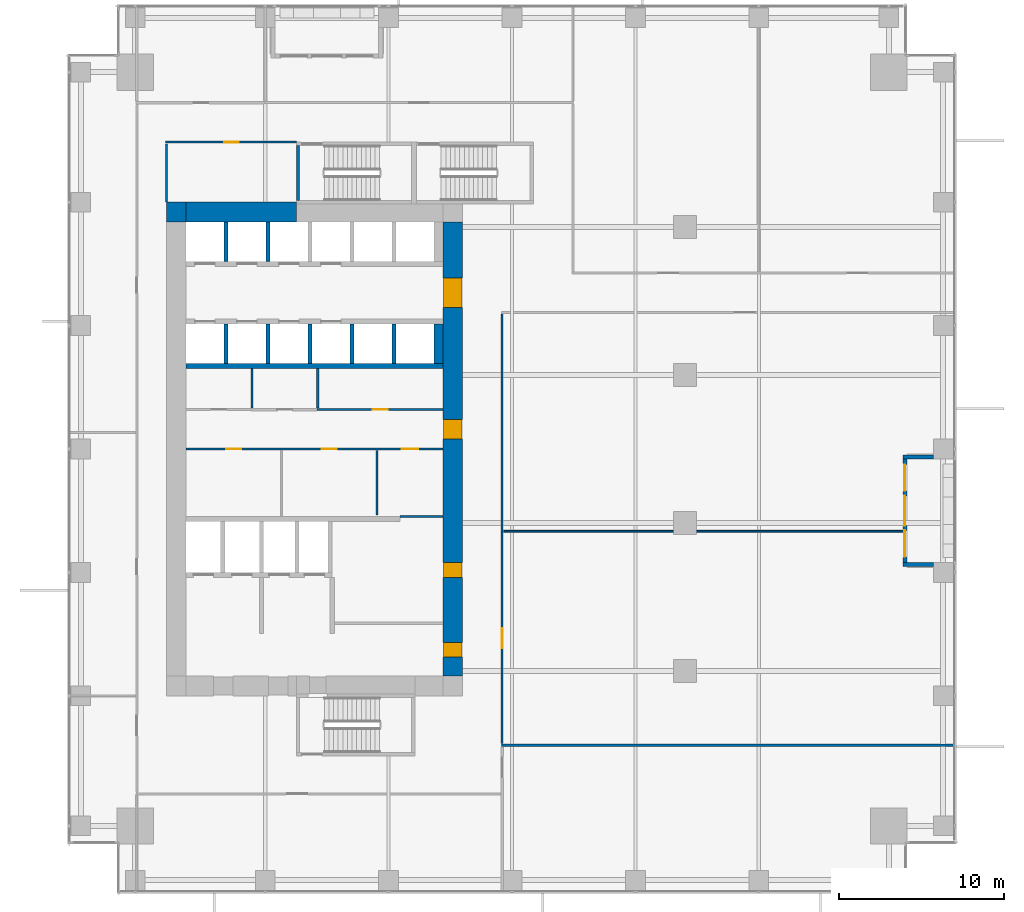
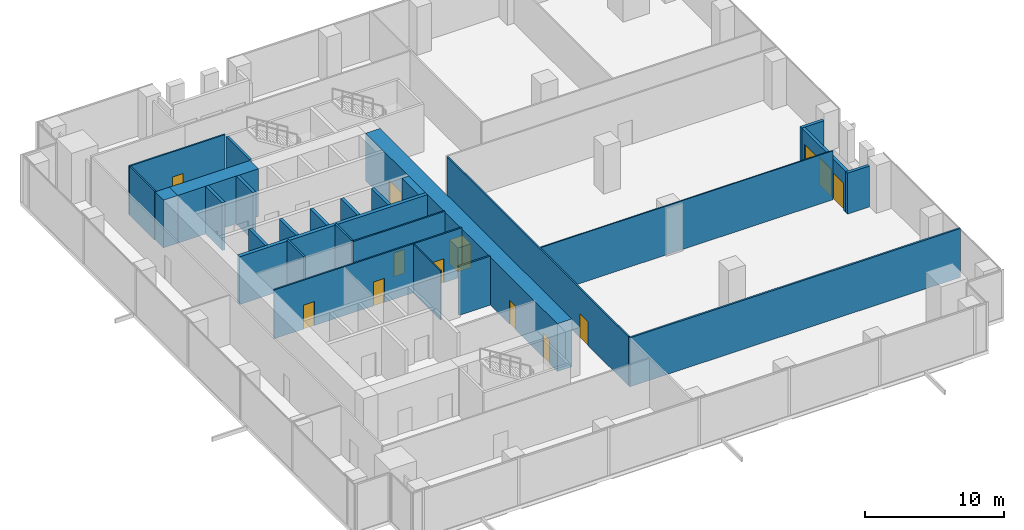
# One storey, part 28 of 33: 27 walls, 11 doors, 2 windows, 13 openings.
"""IFC4 building model written with IfcOpenShell, lengths in metres."""

from ifc_helpers import new_model, si_unit, direction, frame, frame_2d, origin, place, context, subcontext, project, spatial, rectangle, extrude, source, transform, mapped, material, layer, layer_set, type_object, element, fill, save


model = new_model("IFC4")

# Units and contexts
model_context = context("Model", 3, precision=1e-05, world=origin(), true_north=direction((0.0, 1.0)))
body_context = subcontext(model_context, "Body", "Model", "MODEL_VIEW")
ifc_project = project(units=[si_unit("LENGTHUNIT", "METRE"), si_unit("AREAUNIT", "SQUARE_METRE"), si_unit("VOLUMEUNIT", "CUBIC_METRE"), si_unit("PLANEANGLEUNIT", "RADIAN"), si_unit("MASSUNIT", "GRAM", prefix="KILO")], contexts=[model_context])

# Site, building, storey
site_placement = place(None, origin())
site = spatial("IfcSite", under=ifc_project, at=site_placement, CompositionType="ELEMENT")
building_placement = place(site_placement, origin())
building = spatial("IfcBuilding", under=site, at=building_placement, Name="Khomas Fold Tower", CompositionType="ELEMENT")
storey_placement = place(building_placement, frame((0.0, 0.0, 78.0)))
storey = spatial("IfcBuildingStorey", under=building, at=storey_placement, Name="L16", CompositionType="ELEMENT", Elevation=78.0)

# Walls
ifc_material_1 = material(Name="Concrete C70/85", Category="concrete")
ifc_layer_1 = layer(ifc_material_1, 1.199951171875)
ifc_layer_set_1 = layer_set([ifc_layer_1], Name="Concrete C70/85")
wall_type_1 = type_object("IfcWallType", Name="Core wall 1200", PredefinedType="SHEAR", material=ifc_layer_set_1)
shared_shape_1 = source(origin(), body_context, "Body", "SweptSolid", [
    extrude(rectangle(XDim=6.699951171875, YDim=1.199951171875, at=frame_2d((3.35009765625, 0.0))), origin(), (0.0, 0.0, 1.0), 4.199951171875),
])
wall_1_placement = place(storey_placement, frame((7.199951171875, 41.39990234375, 0.0), z_axis=(0.0, 0.0, 1.0), x_axis=(1.0, 0.0, 0.0)))
element("IfcWall", 1, at=wall_1_placement, inside=storey, type_object=wall_type_1, Name="Core wall CW-L-N-B2", PredefinedType="SHEAR", context=body_context, shape_type="MappedRepresentation", body=[
    mapped(shared_shape_1, transform((0.0, 0.0, 0.0))),
])
ifc_material_2 = material(Name="Concrete C70/85", Category="concrete")
ifc_layer_2 = layer(ifc_material_2, 1.199951171875)
ifc_layer_set_2 = layer_set([ifc_layer_2], Name="Concrete C70/85")
wall_type_2 = type_object("IfcWallType", Name="Core corner wall 1200", PredefinedType="SHEAR", material=ifc_layer_set_2)
shared_shape_2 = source(origin(), body_context, "Body", "SweptSolid", [
    extrude(rectangle(XDim=1.199951171875, YDim=1.199951171875, at=frame_2d((0.60009765625, 0.0))), origin(), (0.0, 0.0, 1.0), 4.199951171875),
])
wall_2_placement = place(storey_placement, frame((6.0, 41.39990234375, 0.0), z_axis=(0.0, 0.0, 1.0), x_axis=(1.0, 0.0, 0.0)))
element("IfcWall", 2, at=wall_2_placement, inside=storey, type_object=wall_type_2, Name="Core wall CW-L-NW-B2", PredefinedType="SHEAR", context=body_context, shape_type="MappedRepresentation", body=[
    mapped(shared_shape_2, transform((0.0, 0.0, 0.0))),
])

# Wall, openings, doors
shared_shape_3 = source(origin(), body_context, "Body", "SweptSolid", [
    extrude(rectangle(XDim=27.60009765625, YDim=1.199951171875, at=frame_2d((13.800048828125, 0.0))), origin(), (0.0, 0.0, 1.0), 4.199951171875),
])
wall_3_placement = place(storey_placement, frame((23.39990234375, 13.199951171875, 0.0), z_axis=(0.0, 0.0, 1.0), x_axis=(0.0, 1.0, 0.0)))
wall_3 = element("IfcWall", 3, at=wall_3_placement, inside=storey, type_object=wall_type_1, Name="Core wall CW-L-E-B2", PredefinedType="SHEAR", context=body_context, shape_type="MappedRepresentation", body=[
    mapped(shared_shape_3, transform((0.0, 0.0, 0.0))),
])
shared_shape_4 = source(origin(), body_context, "Body", "SweptSolid", [
    extrude(rectangle(XDim=1.800048828125, YDim=2.10009765625, at=frame_2d((0.89990234375, 1.050048828125))), frame((0.0, 0.60986328125, 0.0), z_axis=(0.0, -1.0, 0.0), x_axis=(1.0, 0.0, 0.0)), (0.0, 0.0, 1.0), 1.219970703125),
])
opening_1_placement = place(wall_3_placement, frame((22.39990234375, 0.0, 0.0)))
opening_1 = element("IfcOpeningElement", 4, at=opening_1_placement, cuts=wall_3, Name="Opening 0015", PredefinedType="OPENING", context=body_context, shape_type="MappedRepresentation", body=[
    mapped(shared_shape_4, transform((0.0, 0.0, 0.0))),
])
shared_shape_5 = source(origin(), body_context, "Body", "SweptSolid", [
    extrude(rectangle(XDim=1.199951171875, YDim=2.10009765625, at=frame_2d((0.60009765625, 1.050048828125))), frame((0.0, 0.60986328125, 0.0), z_axis=(0.0, -1.0, 0.0), x_axis=(1.0, 0.0, 0.0)), (0.0, 0.0, 1.0), 1.219970703125),
])
opening_2_placement = place(wall_3_placement, frame((14.39990234375, 0.0, 0.0)))
opening_2 = element("IfcOpeningElement", 5, at=opening_2_placement, cuts=wall_3, Name="Opening 0001", PredefinedType="OPENING", context=body_context, shape_type="MappedRepresentation", body=[
    mapped(shared_shape_5, transform((0.0, 0.0, 0.0))),
])
shared_shape_6 = source(origin(), body_context, "Body", "SweptSolid", [
    extrude(rectangle(XDim=0.89990234375, YDim=2.10009765625, at=frame_2d((0.449951171875, 1.050048828125))), frame((0.0, 0.60986328125, 0.0), z_axis=(0.0, -1.0, 0.0), x_axis=(1.0, 0.0, 0.0)), (0.0, 0.0, 1.0), 1.219970703125),
])
opening_3_placement = place(wall_3_placement, frame((1.14990234375, 0.0, 0.0)))
opening_3 = element("IfcOpeningElement", 6, at=opening_3_placement, cuts=wall_3, Name="Opening 0008", PredefinedType="OPENING", context=body_context, shape_type="MappedRepresentation", body=[
    mapped(shared_shape_6, transform((0.0, 0.0, 0.0))),
])
opening_4_placement = place(wall_3_placement, frame((6.0, 0.0, 0.0)))
opening_4 = element("IfcOpeningElement", 7, at=opening_4_placement, cuts=wall_3, Name="Opening 0003", PredefinedType="OPENING", context=body_context, shape_type="MappedRepresentation", body=[
    mapped(shared_shape_6, transform((0.0, 0.0, 0.0))),
])
ifc_material_3 = material(Name="Timber door leaf", Category="wood")
door_type_1 = type_object("IfcDoorType", Name="Door 1200x2100 right-hand", OperationType="SINGLE_SWING_RIGHT", PredefinedType="DOOR", material=ifc_material_3)
shared_shape_7 = source(origin(), body_context, "Body", "SweptSolid", [
    extrude(rectangle(XDim=1.199951171875, YDim=2.10009765625, at=frame_2d((0.60009765625, 1.050048828125))), frame((0.0, 0.5498046875, 0.0), z_axis=(0.0, -1.0, 0.0), x_axis=(1.0, 0.0, 0.0)), (0.0, 0.0, 1.0), 1.099853515625),
])
door_1_placement = place(opening_2_placement, origin())
door_1 = element("IfcDoor", 8, at=door_1_placement, inside=storey, type_object=door_type_1, Name="Door", OperationType="SINGLE_SWING_RIGHT", OverallHeight=2.10009765625, OverallWidth=1.199951171875, PredefinedType="DOOR", context=body_context, shape_type="MappedRepresentation", body=[
    mapped(shared_shape_7, transform((0.0, 0.0, 0.0))),
])
fill(opening_2, door_1)
ifc_material_4 = material(Name="Timber door leaf", Category="wood")
door_type_2 = type_object("IfcDoorType", Name="Door 900x2100 right-hand", OperationType="SINGLE_SWING_RIGHT", PredefinedType="DOOR", material=ifc_material_4)
shared_shape_8 = source(origin(), body_context, "Body", "SweptSolid", [
    extrude(rectangle(XDim=0.89990234375, YDim=2.10009765625, at=frame_2d((0.449951171875, 1.050048828125))), frame((0.0, 0.5498046875, 0.0), z_axis=(0.0, -1.0, 0.0), x_axis=(1.0, 0.0, 0.0)), (0.0, 0.0, 1.0), 1.099853515625),
])
door_2_placement = place(opening_3_placement, origin())
door_2 = element("IfcDoor", 9, at=door_2_placement, inside=storey, type_object=door_type_2, Name="Door", OperationType="SINGLE_SWING_RIGHT", OverallHeight=2.10009765625, OverallWidth=0.89990234375, PredefinedType="DOOR", context=body_context, shape_type="MappedRepresentation", body=[
    mapped(shared_shape_8, transform((0.0, 0.0, 0.0))),
])
fill(opening_3, door_2)
ifc_material_5 = material(Name="Steel door leaf", Category="steel")
door_type_3 = type_object("IfcDoorType", Name="Plant room door 900x2100 right-hand", OperationType="SINGLE_SWING_RIGHT", PredefinedType="DOOR", material=ifc_material_5)
door_3_placement = place(opening_4_placement, origin())
door_3 = element("IfcDoor", 10, at=door_3_placement, inside=storey, type_object=door_type_3, Name="Plant room door", OperationType="SINGLE_SWING_RIGHT", OverallHeight=2.10009765625, OverallWidth=0.89990234375, PredefinedType="DOOR", context=body_context, shape_type="MappedRepresentation", body=[
    mapped(shared_shape_8, transform((0.0, 0.0, 0.0))),
])
fill(opening_4, door_3)
ifc_material_6 = material(Name="Steel door leaf", Category="steel")
door_type_4 = type_object("IfcDoorType", Name="Lobby door 1800x2100", OperationType="DOUBLE_DOOR_SINGLE_SWING", PredefinedType="DOOR", material=ifc_material_6)
shared_shape_9 = source(origin(), body_context, "Body", "SweptSolid", [
    extrude(rectangle(XDim=1.800048828125, YDim=2.10009765625, at=frame_2d((0.89990234375, 1.050048828125))), frame((0.0, 0.5498046875, 0.0), z_axis=(0.0, -1.0, 0.0), x_axis=(1.0, 0.0, 0.0)), (0.0, 0.0, 1.0), 1.099853515625),
])
door_4_placement = place(opening_1_placement, origin())
door_4 = element("IfcDoor", 11, at=door_4_placement, inside=storey, type_object=door_type_4, Name="Lobby door", OperationType="DOUBLE_DOOR_SINGLE_SWING", OverallHeight=2.10009765625, OverallWidth=1.800048828125, PredefinedType="DOOR", context=body_context, shape_type="MappedRepresentation", body=[
    mapped(shared_shape_9, transform((0.0, 0.0, 0.0))),
])
fill(opening_1, door_4)

# Walls
ifc_material_7 = material(Name="Concrete C50/60", Category="concrete")
ifc_layer_3 = layer(ifc_material_7, 0.199951171875)
ifc_layer_set_3 = layer_set([ifc_layer_3], Name="Concrete C50/60")
wall_type_3 = type_object("IfcWallType", Name="Stair wall 200", PredefinedType="SHEAR", material=ifc_layer_set_3)
shared_shape_10 = source(origin(), body_context, "Body", "SweptSolid", [
    extrude(rectangle(XDim=3.349853515625, YDim=0.199951171875, at=frame_2d((1.6748046875, 0.0))), origin(), (0.0, 0.0, 1.0), 4.199951171875),
])
wall_4_placement = place(storey_placement, frame((14.0, 42.10009765625, 0.0), z_axis=(0.0, 0.0, 1.0), x_axis=(0.0, 1.0, 0.0)))
element("IfcWall", 12, at=wall_4_placement, inside=storey, type_object=wall_type_3, Name="Stair wall SW-ST1-W", PredefinedType="SHEAR", context=body_context, shape_type="MappedRepresentation", body=[
    mapped(shared_shape_10, transform((0.0, 0.0, 0.0))),
])
ifc_material_8 = material(Name="Concrete C50/60", Category="concrete")
ifc_layer_4 = layer(ifc_material_8, 0.300048828125)
ifc_layer_set_4 = layer_set([ifc_layer_4], Name="Concrete C50/60")
wall_type_4 = type_object("IfcWallType", Name="Shaft wall 300", PredefinedType="STANDARD", material=ifc_layer_set_4)
shared_shape_11 = source(origin(), body_context, "Body", "SweptSolid", [
    extrude(rectangle(XDim=15.60009765625, YDim=0.300048828125, at=frame_2d((7.800048828125, 0.0))), origin(), (0.0, 0.0, 1.0), 4.199951171875),
])
wall_5_placement = place(storey_placement, frame((7.199951171875, 32.050048828125, 0.0), z_axis=(0.0, 0.0, 1.0), x_axis=(1.0, 0.0, 0.0)))
element("IfcWall", 13, at=wall_5_placement, inside=storey, type_object=wall_type_4, Name="Core wall SW-HRN-B", PredefinedType="STANDARD", context=body_context, shape_type="MappedRepresentation", body=[
    mapped(shared_shape_11, transform((0.0, 0.0, 0.0))),
])
ifc_material_9 = material(Name="Concrete C50/60", Category="concrete")
ifc_layer_5 = layer(ifc_material_9, 0.25)
ifc_layer_set_5 = layer_set([ifc_layer_5], Name="Concrete C50/60")
wall_type_5 = type_object("IfcWallType", Name="Shaft wall 250", PredefinedType="STANDARD", material=ifc_layer_set_5)
shared_shape_12 = source(origin(), body_context, "Body", "SweptSolid", [
    extrude(rectangle(XDim=2.400146484375, YDim=0.25, at=frame_2d((1.2001953125, 0.0))), origin(), (0.0, 0.0, 1.0), 4.199951171875),
])
for number, where, z_axis, x_axis, name in (
    (14, (9.625, 38.39990234375, 0.0), (0.0, 0.0, 1.0), (0.0, 1.0, 0.0), "Core wall SW-LRN-P1"),
    (15, (12.175048828125, 38.39990234375, 0.0), (0.0, 0.0, 1.0), (0.0, 1.0, 0.0), "Core wall SW-LRN-P2"),
    (16, (9.625, 32.199951171875, 0.0), (0.0, 0.0, 1.0), (0.0, 1.0, 0.0), "Core wall SW-LRS-P1"),
    (17, (12.175048828125, 32.199951171875, 0.0), (0.0, 0.0, 1.0), (0.0, 1.0, 0.0), "Core wall SW-LRS-P2"),
    (18, (14.72509765625, 32.199951171875, 0.0), (0.0, 0.0, 1.0), (0.0, 1.0, 0.0), "Core wall SW-LRS-P3"),
    (19, (17.27490234375, 32.199951171875, 0.0), (0.0, 0.0, 1.0), (0.0, 1.0, 0.0), "Core wall SW-LRS-P4"),
    (20, (19.824951171875, 32.199951171875, 0.0), (0.0, 0.0, 1.0), (0.0, 1.0, 0.0), "Core wall SW-LRS-P5"),
):
    element("IfcWall", number, at=place(storey_placement, frame(where, z_axis=z_axis, x_axis=x_axis)), inside=storey, type_object=wall_type_5, Name=name, PredefinedType="STANDARD", context=body_context, shape_type="MappedRepresentation", body=[
        mapped(shared_shape_12, transform((0.0, 0.0, 0.0))),
    ])
ifc_material_10 = material(Name="Concrete C50/60", Category="concrete")
ifc_layer_6 = layer(ifc_material_10, 0.550048828125)
ifc_layer_set_6 = layer_set([ifc_layer_6], Name="Concrete C50/60")
wall_type_6 = type_object("IfcWallType", Name="Shaft wall 550", PredefinedType="STANDARD", material=ifc_layer_set_6)
shared_shape_13 = source(origin(), body_context, "Body", "SweptSolid", [
    extrude(rectangle(XDim=2.400146484375, YDim=0.550048828125, at=frame_2d((1.2001953125, 0.0))), origin(), (0.0, 0.0, 1.0), 4.199951171875),
])
wall_6_placement = place(storey_placement, frame((22.52490234375, 32.199951171875, 0.0), z_axis=(0.0, 0.0, 1.0), x_axis=(0.0, 1.0, 0.0)))
element("IfcWall", 21, at=wall_6_placement, inside=storey, type_object=wall_type_6, Name="Core wall SW-LRS-PE", PredefinedType="STANDARD", context=body_context, shape_type="MappedRepresentation", body=[
    mapped(shared_shape_13, transform((0.0, 0.0, 0.0))),
])

# Wall, openings, windows, door
ifc_material_11 = material(Name="Natural stone", Category="masonry")
ifc_layer_7 = layer(ifc_material_11, 0.0400390625)
ifc_material_12 = material(Name="Mineral wool insulation", Category="insulation")
ifc_layer_8 = layer(ifc_material_12, 0.10009765625)
ifc_material_13 = material(Name="Masonry", Category="masonry")
ifc_layer_9 = layer(ifc_material_13, 0.110107421875)
ifc_layer_set_7 = layer_set([ifc_layer_7, ifc_layer_8, ifc_layer_9], Name="Stone-faced insulated masonry")
wall_type_7 = type_object("IfcWallType", Name="BL-Balcony wall", PredefinedType="SOLIDWALL", material=ifc_layer_set_7)
shared_shape_14 = source(origin(), body_context, "Body", "SweptSolid", [
    extrude(rectangle(XDim=6.2998046875, YDim=0.25, at=frame_2d((3.14990234375, 0.0))), origin(), (0.0, 0.0, 1.0), 3.60009765625),
])
wall_7_placement = place(storey_placement, frame((50.875, 20.10009765625, 0.0), z_axis=(0.0, 0.0, 1.0), x_axis=(0.0, 1.0, 0.0)))
wall_7 = element("IfcWall", 22, at=wall_7_placement, inside=storey, type_object=wall_type_7, Name="Balcony wall BAL-L16-E2", PredefinedType="SOLIDWALL", context=body_context, shape_type="MappedRepresentation", body=[
    mapped(shared_shape_14, transform((0.0, 0.0, 0.0))),
])
shared_shape_15 = source(origin(), body_context, "Body", "SweptSolid", [
    extrude(rectangle(XDim=1.60009765625, YDim=2.39990234375, at=frame_2d((0.800048828125, 1.199951171875))), frame((0.0, 0.135009765625, 0.0), z_axis=(0.0, -1.0, 0.0), x_axis=(1.0, 0.0, 0.0)), (0.0, 0.0, 1.0), 0.27001953125),
])
opening_5_placement = place(wall_7_placement, frame((0.35009765625, 0.0, 0.0)))
opening_5 = element("IfcOpeningElement", 23, at=opening_5_placement, cuts=wall_7, Name="Opening BL-W1", PredefinedType="OPENING", context=body_context, shape_type="MappedRepresentation", body=[
    mapped(shared_shape_15, transform((0.0, 0.0, 0.0))),
])
opening_6_placement = place(wall_7_placement, frame((4.35009765625, 0.0, 0.0)))
opening_6 = element("IfcOpeningElement", 24, at=opening_6_placement, cuts=wall_7, Name="Opening BL-W1", PredefinedType="OPENING", context=body_context, shape_type="MappedRepresentation", body=[
    mapped(shared_shape_15, transform((0.0, 0.0, 0.0))),
])
shared_shape_16 = source(origin(), body_context, "Body", "SweptSolid", [
    extrude(rectangle(XDim=1.800048828125, YDim=2.39990234375, at=frame_2d((0.89990234375, 1.199951171875))), frame((0.0, 0.135009765625, 0.0), z_axis=(0.0, -1.0, 0.0), x_axis=(1.0, 0.0, 0.0)), (0.0, 0.0, 1.0), 0.27001953125),
])
opening_7_placement = place(wall_7_placement, frame((2.25, 0.0, 0.0)))
opening_7 = element("IfcOpeningElement", 25, at=opening_7_placement, cuts=wall_7, Name="Opening BD161", PredefinedType="OPENING", context=body_context, shape_type="MappedRepresentation", body=[
    mapped(shared_shape_16, transform((0.0, 0.0, 0.0))),
])
ifc_material_14 = material(Name="Aluminium framed double glazing", Category="aluminium")
window_type = type_object("IfcWindowType", Name="BL-Fixed glazing 1600 x 2400", PartitioningType="SINGLE_PANEL", PredefinedType="WINDOW", material=ifc_material_14)
shared_shape_17 = source(origin(), body_context, "Body", "SweptSolid", [
    extrude(rectangle(XDim=1.60009765625, YDim=2.39990234375, at=frame_2d((0.800048828125, 1.199951171875))), frame((0.0, 0.030029296875, 0.0), z_axis=(0.0, -1.0, 0.0), x_axis=(1.0, 0.0, 0.0)), (0.0, 0.0, 1.0), 0.06005859375),
])
window_1_placement = place(opening_5_placement, origin())
window_1 = element("IfcWindow", 26, at=window_1_placement, inside=storey, type_object=window_type, Name="Balcony glazing BAL-L16-E2-1", OverallHeight=2.39990234375, OverallWidth=1.60009765625, PartitioningType="SINGLE_PANEL", PredefinedType="WINDOW", context=body_context, shape_type="MappedRepresentation", body=[
    mapped(shared_shape_17, transform((0.0, 0.0, 0.0))),
])
fill(opening_5, window_1)
window_2_placement = place(opening_6_placement, origin())
window_2 = element("IfcWindow", 27, at=window_2_placement, inside=storey, type_object=window_type, Name="Balcony glazing BAL-L16-E2-2", OverallHeight=2.39990234375, OverallWidth=1.60009765625, PartitioningType="SINGLE_PANEL", PredefinedType="WINDOW", context=body_context, shape_type="MappedRepresentation", body=[
    mapped(shared_shape_17, transform((0.0, 0.0, 0.0))),
])
fill(opening_6, window_2)
ifc_material_15 = material(Name="Aluminium framed double glazing", Category="aluminium")
door_type_5 = type_object("IfcDoorType", Name="BL-Glazed balcony door 1800 x 2400", OperationType="DOUBLE_DOOR_DOUBLE_SWING", PredefinedType="DOOR", material=ifc_material_15)
shared_shape_18 = source(origin(), body_context, "Body", "SweptSolid", [
    extrude(rectangle(XDim=1.800048828125, YDim=2.39990234375, at=frame_2d((0.89990234375, 1.199951171875))), frame((0.0, 0.02490234375, 0.0), z_axis=(0.0, -1.0, 0.0), x_axis=(1.0, 0.0, 0.0)), (0.0, 0.0, 1.0), 0.050048828125),
])
door_5_placement = place(opening_7_placement, origin())
door_5 = element("IfcDoor", 28, at=door_5_placement, inside=storey, type_object=door_type_5, Name="Balcony door BD161", OperationType="DOUBLE_DOOR_DOUBLE_SWING", OverallHeight=2.39990234375, OverallWidth=1.800048828125, PredefinedType="DOOR", context=body_context, shape_type="MappedRepresentation", body=[
    mapped(shared_shape_18, transform((0.0, 0.0, 0.0))),
])
fill(opening_7, door_5)

# Walls
shared_shape_19 = source(origin(), body_context, "Body", "SweptSolid", [
    extrude(rectangle(XDim=1.85009765625, YDim=0.25, at=frame_2d((0.925048828125, 0.0))), origin(), (0.0, 0.0, 1.0), 3.60009765625),
])
for number, where, z_axis, x_axis, name in (
    (29, (52.60009765625, 19.97509765625, 0.0), (0.0, 0.0, 1.0), (-1.0, 0.0, 0.0), "Balcony return wall BAL-L16-E2-lo"),
    (30, (52.60009765625, 26.52490234375, 0.0), (0.0, 0.0, 1.0), (-1.0, 0.0, 0.0), "Balcony return wall BAL-L16-E2-hi"),
):
    element("IfcWall", number, at=place(storey_placement, frame(where, z_axis=z_axis, x_axis=x_axis)), inside=storey, type_object=wall_type_7, Name=name, PredefinedType="SOLIDWALL", context=body_context, shape_type="MappedRepresentation", body=[
        mapped(shared_shape_19, transform((0.0, 0.0, 0.0))),
    ])
ifc_material_16 = material(Name="Plasterboard fire partition")
ifc_layer_10 = layer(ifc_material_16, 0.14990234375)
ifc_layer_set_8 = layer_set([ifc_layer_10], Name="Plasterboard fire partition")
wall_type_8 = type_object("IfcWallType", Name="Plant room wall PW3 150", PredefinedType="PARTITIONING", material=ifc_layer_set_8)
shared_shape_20 = source(origin(), body_context, "Body", "SweptSolid", [
    extrude(rectangle(XDim=27.5, YDim=0.14990234375, at=frame_2d((13.75, 0.0))), origin(), (0.0, 0.0, 1.0), 4.300048828125),
])
wall_8_placement = place(storey_placement, frame((26.35009765625, 9.0, 0.0), z_axis=(0.0, 0.0, 1.0), x_axis=(1.0, 0.0, 0.0)))
element("IfcWall", 31, at=wall_8_placement, inside=storey, type_object=wall_type_8, Name="Plant room wall", PredefinedType="PARTITIONING", context=body_context, shape_type="MappedRepresentation", body=[
    mapped(shared_shape_20, transform((0.0, 0.0, 0.0))),
])
shared_shape_21 = source(origin(), body_context, "Body", "SweptSolid", [
    extrude(rectangle(XDim=2.60009765625, YDim=0.14990234375, at=frame_2d((1.300048828125, 0.0))), origin(), (0.0, 0.0, 1.0), 4.300048828125),
])
wall_9_placement = place(storey_placement, frame((20.199951171875, 22.89990234375, 0.0), z_axis=(0.0, 0.0, 1.0), x_axis=(1.0, 0.0, 0.0)))
element("IfcWall", 32, at=wall_9_placement, inside=storey, type_object=wall_type_8, Name="Plant room wall", PredefinedType="PARTITIONING", context=body_context, shape_type="MappedRepresentation", body=[
    mapped(shared_shape_21, transform((0.0, 0.0, 0.0))),
])
ifc_material_17 = material(Name="Plasterboard partition")
ifc_layer_11 = layer(ifc_material_17, 0.10009765625)
ifc_layer_set_9 = layer_set([ifc_layer_11], Name="Plasterboard partition")
wall_type_9 = type_object("IfcWallType", Name="Partition PW1 100", PredefinedType="PARTITIONING", material=ifc_layer_set_9)
shared_shape_22 = source(origin(), body_context, "Body", "SweptSolid", [
    extrude(rectangle(XDim=24.25, YDim=0.10009765625, at=frame_2d((12.125, 0.0))), origin(), (0.0, 0.0, 1.0), 4.300048828125),
])
wall_10_placement = place(storey_placement, frame((26.5, 22.0, 0.0), z_axis=(0.0, 0.0, 1.0), x_axis=(1.0, 0.0, 0.0)))
element("IfcWall", 33, at=wall_10_placement, inside=storey, type_object=wall_type_9, Name="Partition", PredefinedType="PARTITIONING", context=body_context, shape_type="MappedRepresentation", body=[
    mapped(shared_shape_22, transform((0.0, 0.0, 0.0))),
])
ifc_material_18 = material(Name="Plasterboard partition")
ifc_layer_12 = layer(ifc_material_18, 0.125)
ifc_layer_set_10 = layer_set([ifc_layer_12], Name="Plasterboard partition")
wall_type_10 = type_object("IfcWallType", Name="Partition PW2 125", PredefinedType="PARTITIONING", material=ifc_layer_set_10)
shared_shape_23 = source(origin(), body_context, "Body", "SweptSolid", [
    extrude(rectangle(XDim=3.550048828125, YDim=0.125, at=frame_2d((1.77490234375, 0.0))), origin(), (0.0, 0.0, 1.0), 4.300048828125),
])
wall_11_placement = place(storey_placement, frame((6.0, 42.0, 0.0), z_axis=(0.0, 0.0, 1.0), x_axis=(0.0, 1.0, 0.0)))
element("IfcWall", 34, at=wall_11_placement, inside=storey, type_object=wall_type_10, Name="Partition", PredefinedType="PARTITIONING", context=body_context, shape_type="MappedRepresentation", body=[
    mapped(shared_shape_23, transform((0.0, 0.0, 0.0))),
])

# Wall, opening, door
shared_shape_24 = source(origin(), body_context, "Body", "SweptSolid", [
    extrude(rectangle(XDim=7.949951171875, YDim=0.125, at=frame_2d((3.97509765625, 0.0))), origin(), (0.0, 0.0, 1.0), 4.300048828125),
])
wall_12_placement = place(storey_placement, frame((5.949951171875, 45.64990234375, 0.0), z_axis=(0.0, 0.0, 1.0), x_axis=(1.0, 0.0, 0.0)))
wall_12 = element("IfcWall", 35, at=wall_12_placement, inside=storey, type_object=wall_type_10, Name="Partition", PredefinedType="PARTITIONING", context=body_context, shape_type="MappedRepresentation", body=[
    mapped(shared_shape_24, transform((0.0, 0.0, 0.0))),
])
shared_shape_25 = source(origin(), body_context, "Body", "SweptSolid", [
    extrude(rectangle(XDim=0.89990234375, YDim=2.10009765625, at=frame_2d((0.449951171875, 1.050048828125))), frame((0.0, 0.072509765625, 0.0), z_axis=(0.0, -1.0, 0.0), x_axis=(1.0, 0.0, 0.0)), (0.0, 0.0, 1.0), 0.14501953125),
])
opening_8_placement = place(wall_12_placement, frame((3.550048828125, 0.0, 0.0)))
opening_8 = element("IfcOpeningElement", 36, at=opening_8_placement, cuts=wall_12, Name="Opening 0008", PredefinedType="OPENING", context=body_context, shape_type="MappedRepresentation", body=[
    mapped(shared_shape_25, transform((0.0, 0.0, 0.0))),
])
shared_shape_26 = source(origin(), body_context, "Body", "SweptSolid", [
    extrude(rectangle(XDim=0.89990234375, YDim=2.10009765625, at=frame_2d((0.449951171875, 1.050048828125))), frame((0.0, 0.02490234375, 0.0), z_axis=(0.0, -1.0, 0.0), x_axis=(1.0, 0.0, 0.0)), (0.0, 0.0, 1.0), 0.050048828125),
])
door_6_placement = place(opening_8_placement, origin())
door_6 = element("IfcDoor", 37, at=door_6_placement, inside=storey, type_object=door_type_2, Name="Door", OperationType="SINGLE_SWING_RIGHT", OverallHeight=2.10009765625, OverallWidth=0.89990234375, PredefinedType="DOOR", context=body_context, shape_type="MappedRepresentation", body=[
    mapped(shared_shape_26, transform((0.0, 0.0, 0.0))),
])
fill(opening_8, door_6)

# Wall, openings, doors
shared_shape_27 = source(origin(), body_context, "Body", "SweptSolid", [
    extrude(rectangle(XDim=15.60009765625, YDim=0.125, at=frame_2d((7.800048828125, 0.0))), origin(), (0.0, 0.0, 1.0), 4.300048828125),
])
wall_13_placement = place(storey_placement, frame((7.199951171875, 27.0, 0.0), z_axis=(0.0, 0.0, 1.0), x_axis=(1.0, 0.0, 0.0)))
wall_13 = element("IfcWall", 38, at=wall_13_placement, inside=storey, type_object=wall_type_10, Name="Partition", PredefinedType="PARTITIONING", context=body_context, shape_type="MappedRepresentation", body=[
    mapped(shared_shape_27, transform((0.0, 0.0, 0.0))),
])
opening_9_placement = place(wall_13_placement, frame((2.449951171875, 0.0, 0.0)))
opening_9 = element("IfcOpeningElement", 39, at=opening_9_placement, cuts=wall_13, Name="Opening 0005", PredefinedType="OPENING", context=body_context, shape_type="MappedRepresentation", body=[
    mapped(shared_shape_25, transform((0.0, 0.0, 0.0))),
])
opening_10_placement = place(wall_13_placement, frame((8.25, 0.0, 0.0)))
opening_10 = element("IfcOpeningElement", 40, at=opening_10_placement, cuts=wall_13, Name="Opening 0004", PredefinedType="OPENING", context=body_context, shape_type="MappedRepresentation", body=[
    mapped(shared_shape_25, transform((0.0, 0.0, 0.0))),
])
shared_shape_28 = source(origin(), body_context, "Body", "SweptSolid", [
    extrude(rectangle(XDim=1.0, YDim=2.10009765625, at=frame_2d((0.5, 1.050048828125))), frame((0.0, 0.072509765625, 0.0), z_axis=(0.0, -1.0, 0.0), x_axis=(1.0, 0.0, 0.0)), (0.0, 0.0, 1.0), 0.14501953125),
])
opening_11_placement = place(wall_13_placement, frame((13.10009765625, 0.0, 0.0)))
opening_11 = element("IfcOpeningElement", 41, at=opening_11_placement, cuts=wall_13, Name="Opening 0014", PredefinedType="OPENING", context=body_context, shape_type="MappedRepresentation", body=[
    mapped(shared_shape_28, transform((0.0, 0.0, 0.0))),
])
ifc_material_19 = material(Name="Timber door leaf", Category="wood")
door_type_6 = type_object("IfcDoorType", Name="WC door 900x2100 left-hand", OperationType="SINGLE_SWING_LEFT", PredefinedType="DOOR", material=ifc_material_19)
door_7_placement = place(opening_9_placement, origin())
door_7 = element("IfcDoor", 42, at=door_7_placement, inside=storey, type_object=door_type_6, Name="WC door", OperationType="SINGLE_SWING_LEFT", OverallHeight=2.10009765625, OverallWidth=0.89990234375, PredefinedType="DOOR", context=body_context, shape_type="MappedRepresentation", body=[
    mapped(shared_shape_26, transform((0.0, 0.0, 0.0))),
])
fill(opening_9, door_7)
ifc_material_20 = material(Name="Timber door leaf", Category="wood")
door_type_7 = type_object("IfcDoorType", Name="WC door 900x2100 right-hand", OperationType="SINGLE_SWING_RIGHT", PredefinedType="DOOR", material=ifc_material_20)
door_8_placement = place(opening_10_placement, origin())
door_8 = element("IfcDoor", 43, at=door_8_placement, inside=storey, type_object=door_type_7, Name="WC door", OperationType="SINGLE_SWING_RIGHT", OverallHeight=2.10009765625, OverallWidth=0.89990234375, PredefinedType="DOOR", context=body_context, shape_type="MappedRepresentation", body=[
    mapped(shared_shape_26, transform((0.0, 0.0, 0.0))),
])
fill(opening_10, door_8)
ifc_material_21 = material(Name="Timber door leaf", Category="wood")
door_type_8 = type_object("IfcDoorType", Name="WC door 1000x2100 left-hand", OperationType="SINGLE_SWING_LEFT", PredefinedType="DOOR", material=ifc_material_21)
shared_shape_29 = source(origin(), body_context, "Body", "SweptSolid", [
    extrude(rectangle(XDim=1.0, YDim=2.10009765625, at=frame_2d((0.5, 1.050048828125))), frame((0.0, 0.02490234375, 0.0), z_axis=(0.0, -1.0, 0.0), x_axis=(1.0, 0.0, 0.0)), (0.0, 0.0, 1.0), 0.050048828125),
])
door_9_placement = place(opening_11_placement, origin())
door_9 = element("IfcDoor", 44, at=door_9_placement, inside=storey, type_object=door_type_8, Name="WC door", OperationType="SINGLE_SWING_LEFT", OverallHeight=2.10009765625, OverallWidth=1.0, PredefinedType="DOOR", context=body_context, shape_type="MappedRepresentation", body=[
    mapped(shared_shape_29, transform((0.0, 0.0, 0.0))),
])
fill(opening_11, door_9)

# Wall, opening, door
shared_shape_30 = source(origin(), body_context, "Body", "SweptSolid", [
    extrude(rectangle(XDim=26.099853515625, YDim=0.125, at=frame_2d((13.0498046875, 0.0))), origin(), (0.0, 0.0, 1.0), 4.300048828125),
])
wall_14_placement = place(storey_placement, frame((26.39990234375, 9.10009765625, 0.0), z_axis=(0.0, 0.0, 1.0), x_axis=(0.0, 1.0, 0.0)))
wall_14 = element("IfcWall", 45, at=wall_14_placement, inside=storey, type_object=wall_type_10, Name="Partition", PredefinedType="PARTITIONING", context=body_context, shape_type="MappedRepresentation", body=[
    mapped(shared_shape_30, transform((0.0, 0.0, 0.0))),
])
shared_shape_31 = source(origin(), body_context, "Body", "SweptSolid", [
    extrude(rectangle(XDim=1.199951171875, YDim=2.10009765625, at=frame_2d((0.60009765625, 1.050048828125))), frame((0.0, 0.072509765625, 0.0), z_axis=(0.0, -1.0, 0.0), x_axis=(1.0, 0.0, 0.0)), (0.0, 0.0, 1.0), 0.14501953125),
])
opening_12_placement = place(wall_14_placement, frame((5.800048828125, 0.0, 0.0)))
opening_12 = element("IfcOpeningElement", 46, at=opening_12_placement, cuts=wall_14, Name="Opening 0013", PredefinedType="OPENING", context=body_context, shape_type="MappedRepresentation", body=[
    mapped(shared_shape_31, transform((0.0, 0.0, 0.0))),
])
ifc_material_22 = material(Name="Timber door leaf", Category="wood")
door_type_9 = type_object("IfcDoorType", Name="Door 1200x2100 left-hand", OperationType="SINGLE_SWING_LEFT", PredefinedType="DOOR", material=ifc_material_22)
shared_shape_32 = source(origin(), body_context, "Body", "SweptSolid", [
    extrude(rectangle(XDim=1.199951171875, YDim=2.10009765625, at=frame_2d((0.60009765625, 1.050048828125))), frame((0.0, 0.02490234375, 0.0), z_axis=(0.0, -1.0, 0.0), x_axis=(1.0, 0.0, 0.0)), (0.0, 0.0, 1.0), 0.050048828125),
])
door_10_placement = place(opening_12_placement, origin())
door_10 = element("IfcDoor", 47, at=door_10_placement, inside=storey, type_object=door_type_9, Name="Door", OperationType="SINGLE_SWING_LEFT", OverallHeight=2.10009765625, OverallWidth=1.199951171875, PredefinedType="DOOR", context=body_context, shape_type="MappedRepresentation", body=[
    mapped(shared_shape_32, transform((0.0, 0.0, 0.0))),
])
fill(opening_12, door_10)

# Wall
shared_shape_33 = source(origin(), body_context, "Body", "SweptSolid", [
    extrude(rectangle(XDim=3.89990234375, YDim=0.10009765625, at=frame_2d((1.949951171875, 0.0))), origin(), (0.0, 0.0, 1.0), 4.300048828125),
])
wall_15_placement = place(storey_placement, frame((18.800048828125, 23.0, 0.0), z_axis=(0.0, 0.0, 1.0), x_axis=(0.0, 1.0, 0.0)))
element("IfcWall", 48, at=wall_15_placement, inside=storey, type_object=wall_type_9, Name="Partition", PredefinedType="PARTITIONING", context=body_context, shape_type="MappedRepresentation", body=[
    mapped(shared_shape_33, transform((0.0, 0.0, 0.0))),
])

# Wall, opening, door
shared_shape_34 = source(origin(), body_context, "Body", "SweptSolid", [
    extrude(rectangle(XDim=7.650146484375, YDim=0.125, at=frame_2d((3.8251953125, 0.0))), origin(), (0.0, 0.0, 1.0), 4.300048828125),
])
wall_16_placement = place(storey_placement, frame((15.14990234375, 29.39990234375, 0.0), z_axis=(0.0, 0.0, 1.0), x_axis=(1.0, 0.0, 0.0)))
wall_16 = element("IfcWall", 49, at=wall_16_placement, inside=storey, type_object=wall_type_10, Name="Partition", PredefinedType="PARTITIONING", context=body_context, shape_type="MappedRepresentation", body=[
    mapped(shared_shape_34, transform((0.0, 0.0, 0.0))),
])
opening_13_placement = place(wall_16_placement, frame((3.39990234375, 0.0, 0.0)))
opening_13 = element("IfcOpeningElement", 50, at=opening_13_placement, cuts=wall_16, Name="Opening 0007", PredefinedType="OPENING", context=body_context, shape_type="MappedRepresentation", body=[
    mapped(shared_shape_25, transform((0.0, 0.0, 0.0))),
])
ifc_material_23 = material(Name="Timber door leaf", Category="wood")
door_type_10 = type_object("IfcDoorType", Name="Door 900x2100 left-hand", OperationType="SINGLE_SWING_LEFT", PredefinedType="DOOR", material=ifc_material_23)
door_11_placement = place(opening_13_placement, origin())
door_11 = element("IfcDoor", 51, at=door_11_placement, inside=storey, type_object=door_type_10, Name="Door", OperationType="SINGLE_SWING_LEFT", OverallHeight=2.10009765625, OverallWidth=0.89990234375, PredefinedType="DOOR", context=body_context, shape_type="MappedRepresentation", body=[
    mapped(shared_shape_26, transform((0.0, 0.0, 0.0))),
])
fill(opening_13, door_11)

# Walls
shared_shape_35 = source(origin(), body_context, "Body", "SweptSolid", [
    extrude(rectangle(XDim=2.39990234375, YDim=0.14990234375, at=frame_2d((1.199951171875, 0.0))), origin(), (0.0, 0.0, 1.0), 4.300048828125),
])
for number, where, z_axis, x_axis, name in (
    (52, (11.199951171875, 29.5, 0.0), (0.0, 0.0, 1.0), (0.0, 1.0, 0.0), "Plant room wall"),
    (53, (15.199951171875, 29.5, 0.0), (0.0, 0.0, 1.0), (0.0, 1.0, 0.0), "Plant room wall"),
):
    element("IfcWall", number, at=place(storey_placement, frame(where, z_axis=z_axis, x_axis=x_axis)), inside=storey, type_object=wall_type_8, Name=name, PredefinedType="PARTITIONING", context=body_context, shape_type="MappedRepresentation", body=[
        mapped(shared_shape_35, transform((0.0, 0.0, 0.0))),
    ])

save(model, "model.ifc")
